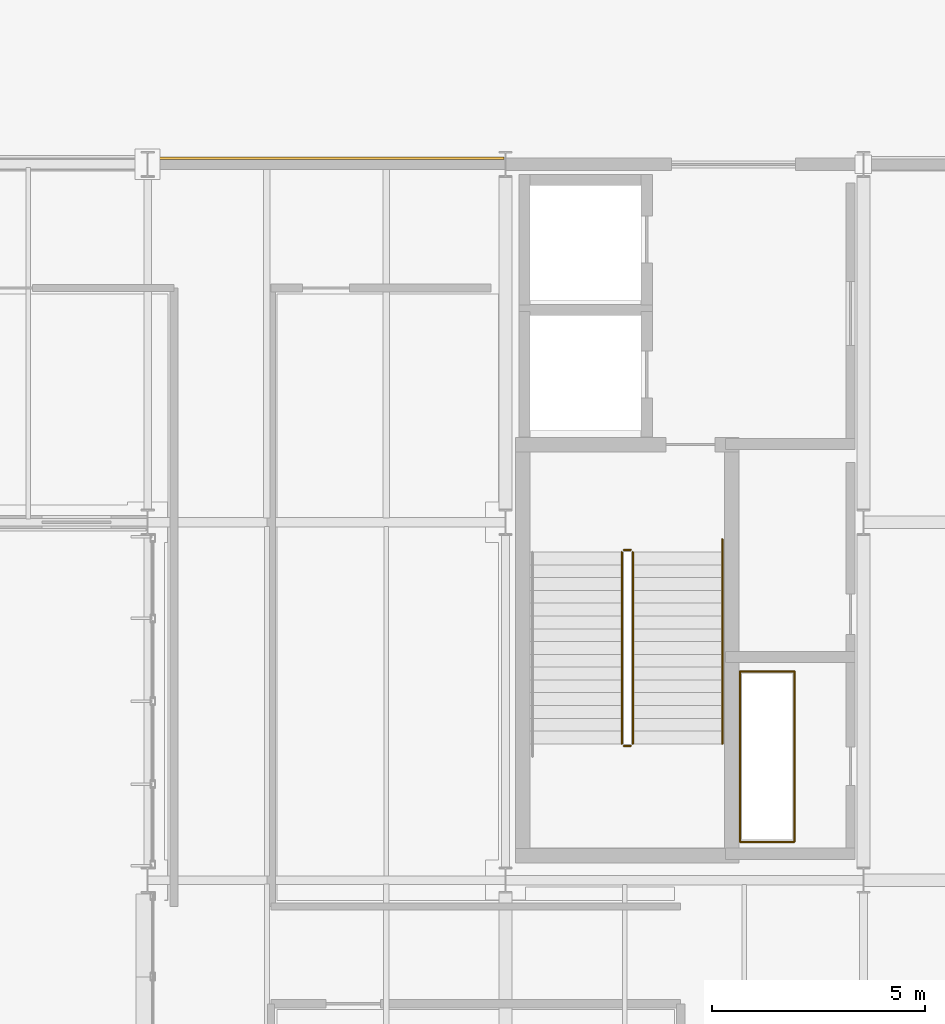
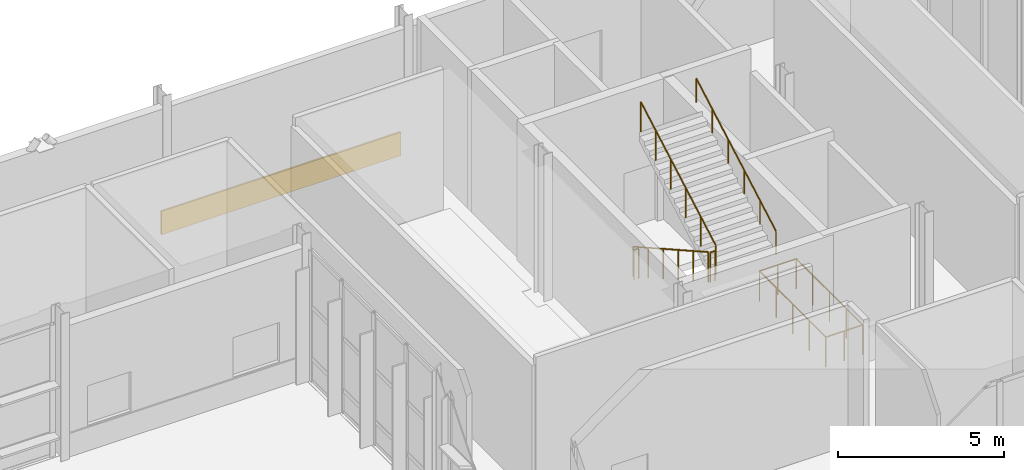
# One storey, part 121 of 124: 6 railings, 1 covering.
"""IFC4 building model written with IfcOpenShell, lengths in metres."""

from ifc_helpers import new_model, si_unit, direction, frame, origin, origin_2d, place, context, subcontext, project, spatial, rectangle, circle, extrude, material, layer, layer_set, type_object, element, save


model = new_model("IFC4")

# Units and contexts
model_context = context("Model", 3, precision=1e-05, world=origin(), true_north=direction((0.0, 1.0)))
body_context = subcontext(model_context, "Body", "Model", "MODEL_VIEW")
ifc_project = project(units=[si_unit("LENGTHUNIT", "METRE"), si_unit("AREAUNIT", "SQUARE_METRE"), si_unit("VOLUMEUNIT", "CUBIC_METRE"), si_unit("PLANEANGLEUNIT", "RADIAN"), si_unit("MASSUNIT", "GRAM", prefix="KILO")], contexts=[model_context])

# Site, building, storey
site_placement = place(None, origin())
site = spatial("IfcSite", under=ifc_project, at=site_placement, CompositionType="ELEMENT")
building_placement = place(site_placement, origin())
building = spatial("IfcBuilding", under=site, at=building_placement, Name="Mersafa Astral City Hall", CompositionType="ELEMENT")
storey_placement = place(building_placement, origin())
storey = spatial("IfcBuildingStorey", under=building, at=storey_placement, Name="L00", CompositionType="ELEMENT", Elevation=0.0)

# Covering
ifc_material_1 = material(Name="Cairo Mokattam buff limestone cladding", Category="masonry")
ifc_layer = layer(ifc_material_1, 0.06005859375, Name="Cairo Mokattam buff limestone cladding")
ifc_layer_set = layer_set([ifc_layer], Name="Cairo Mokattam buff limestone cladding — ENV-COV-LIMESTONE-60")
covering_type = type_object("IfcCoveringType", Name="ENV-COV-LIMESTONE-60", PredefinedType="CLADDING", material=ifc_layer_set)
covering_placement = place(storey_placement, frame((147.0, 126.139404296875, 0.0), z_axis=(0.0, 0.0, 1.0), x_axis=(-1.0, 0.0, 0.0)))
element("IfcCovering", 1, at=covering_placement, inside=storey, type_object=covering_type, Name="L00 Cairo buff limestone rainscreen cladding 34", PredefinedType="CLADDING", context=body_context, shape_type="SweptSolid", body=[
    extrude(rectangle(XDim=8.323974609375, YDim=0.06005859375, at=origin_2d()), origin(), (0.0, 0.0, 1.0), 0.860107421875),
])

# Railings
ifc_material_2 = material(Name="Painted architectural steel stair guard balustrade", Category="steel")
railing_type_1 = type_object("IfcRailingType", Name="GUARD-RAIL", PredefinedType="BALUSTRADE", material=ifc_material_2)
railing_1_placement = place(storey_placement, frame((153.929931640625, 116.89990234375, 0.168701171875)))
element("IfcRailing", 2, at=railing_1_placement, inside=storey, type_object=railing_type_1, Name="L00 ST1 stair guard 1", PredefinedType="BALUSTRADE", context=body_context, shape_type="SweptSolid", body=[
    extrude(circle(Radius=0.02392578125, at=origin_2d()), frame((0.0, 0.0, 1.09619140625), z_axis=(0.0, -0.871575537125, 0.490261239633), x_axis=(1.0, 0.0, 0.0)), (0.0, 0.0, 1.0), 5.1630859375),
    extrude(circle(Radius=0.02099609375, at=origin_2d()), origin(), (0.0, 0.0, 1.0), 1.072021484375),
    extrude(circle(Radius=0.02099609375, at=origin_2d()), frame((0.0, -0.89990234375, 0.50634765625)), (0.0, 0.0, 1.0), 1.072021484375),
    extrude(circle(Radius=0.02099609375, at=origin_2d()), frame((0.0, -1.800048828125, 1.012451171875)), (0.0, 0.0, 1.0), 1.072021484375),
    extrude(circle(Radius=0.02099609375, at=origin_2d()), frame((0.0, -2.699951171875, 1.518798828125)), (0.0, 0.0, 1.0), 1.072021484375),
    extrude(circle(Radius=0.02099609375, at=origin_2d()), frame((0.0, -3.60009765625, 2.02490234375)), (0.0, 0.0, 1.0), 1.072021484375),
    extrude(circle(Radius=0.02099609375, at=origin_2d()), frame((0.0, -4.5, 2.53125)), (0.0, 0.0, 1.0), 1.072021484375),
])
railing_2_placement = place(storey_placement, frame((153.97998046875, 112.35009765625, 2.699951171875)))
element("IfcRailing", 3, at=railing_2_placement, inside=storey, type_object=railing_type_1, Name="L00 ST1 stair guard 2", PredefinedType="BALUSTRADE", context=body_context, shape_type="SweptSolid", body=[
    extrude(circle(Radius=0.02392578125, at=origin_2d()), frame((0.0, 0.0, 1.09619140625), z_axis=(1.0, 0.0, 0.0), x_axis=(0.0, 1.0, 0.0)), (0.0, 0.0, 1.0), 0.159912109375),
    extrude(circle(Radius=0.02099609375, at=origin_2d()), origin(), (0.0, 0.0, 1.0), 1.072021484375),
    extrude(circle(Radius=0.02099609375, at=origin_2d()), frame((0.159912109375, 0.0, 0.0)), (0.0, 0.0, 1.0), 1.072021484375),
])
railing_3_placement = place(storey_placement, frame((154.18994140625, 112.39990234375, 2.86865234375)))
element("IfcRailing", 4, at=railing_3_placement, inside=storey, type_object=railing_type_1, Name="L00 ST1 stair guard 3", PredefinedType="BALUSTRADE", context=body_context, shape_type="SweptSolid", body=[
    extrude(circle(Radius=0.02392578125, at=origin_2d()), frame((0.0, 0.0, 1.09619140625), z_axis=(0.0, 0.871575537125, 0.490261239633), x_axis=(-1.0, 0.0, 0.0)), (0.0, 0.0, 1.0), 5.1630859375),
    extrude(circle(Radius=0.02099609375, at=origin_2d()), origin(), (0.0, 0.0, 1.0), 1.072021484375),
    extrude(circle(Radius=0.02099609375, at=origin_2d()), frame((0.0, 0.89990234375, 0.50634765625)), (0.0, 0.0, 1.0), 1.072021484375),
    extrude(circle(Radius=0.02099609375, at=origin_2d()), frame((0.0, 1.800048828125, 1.012451171875)), (0.0, 0.0, 1.0), 1.072021484375),
    extrude(circle(Radius=0.02099609375, at=origin_2d()), frame((0.0, 2.699951171875, 1.518798828125)), (0.0, 0.0, 1.0), 1.072021484375),
    extrude(circle(Radius=0.02099609375, at=origin_2d()), frame((0.0, 3.60009765625, 2.02490234375)), (0.0, 0.0, 1.0), 1.072021484375),
    extrude(circle(Radius=0.02099609375, at=origin_2d()), frame((0.0, 4.5, 2.53125)), (0.0, 0.0, 1.0), 1.072021484375),
])
railing_4_placement = place(storey_placement, frame((153.97998046875, 116.949951171875, 0.0)))
element("IfcRailing", 5, at=railing_4_placement, inside=storey, type_object=railing_type_1, Name="L00 ST1 stair guard 4", PredefinedType="BALUSTRADE", context=body_context, shape_type="SweptSolid", body=[
    extrude(circle(Radius=0.02392578125, at=origin_2d()), frame((0.0, 0.0, 1.09619140625), z_axis=(1.0, 0.0, 0.0), x_axis=(0.0, 1.0, 0.0)), (0.0, 0.0, 1.0), 0.159912109375),
    extrude(circle(Radius=0.02099609375, at=origin_2d()), origin(), (0.0, 0.0, 1.0), 1.072021484375),
    extrude(circle(Radius=0.02099609375, at=origin_2d()), frame((0.159912109375, 0.0, 0.0)), (0.0, 0.0, 1.0), 1.072021484375),
])
railing_5_placement = place(storey_placement, frame((156.699951171875, 110.10009765625, 0.0)))
element("IfcRailing", 6, at=railing_5_placement, inside=storey, type_object=railing_type_1, Name="L00 K1 MEP Riser Shaft Guard", PredefinedType="BALUSTRADE", context=body_context, shape_type="SweptSolid", body=[
    extrude(circle(Radius=0.02392578125, at=origin_2d()), frame((0.0, 0.0, 1.09619140625), z_axis=(1.0, 0.0, 0.0), x_axis=(0.0, 1.0, 0.0)), (0.0, 0.0, 1.0), 1.280029296875),
    extrude(circle(Radius=0.02392578125, at=origin_2d()), frame((1.280029296875, 0.0, 1.09619140625), z_axis=(0.0, 1.0, 0.0), x_axis=(-1.0, 0.0, 0.0)), (0.0, 0.0, 1.0), 4.0),
    extrude(circle(Radius=0.02392578125, at=origin_2d()), frame((1.280029296875, 4.0, 1.09619140625), z_axis=(-1.0, 0.0, 0.0), x_axis=(0.0, -1.0, 0.0)), (0.0, 0.0, 1.0), 1.280029296875),
    extrude(circle(Radius=0.02392578125, at=origin_2d()), frame((0.0, 4.0, 1.09619140625), z_axis=(0.0, -1.0, 0.0), x_axis=(1.0, 0.0, 0.0)), (0.0, 0.0, 1.0), 4.0),
    extrude(circle(Radius=0.02099609375, at=origin_2d()), origin(), (0.0, 0.0, 1.0), 1.072021484375),
    extrude(circle(Radius=0.02099609375, at=origin_2d()), frame((0.64013671875, 0.0, 0.0)), (0.0, 0.0, 1.0), 1.072021484375),
    extrude(circle(Radius=0.02099609375, at=origin_2d()), frame((1.280029296875, 0.0, 0.0)), (0.0, 0.0, 1.0), 1.072021484375),
    extrude(circle(Radius=0.02099609375, at=origin_2d()), frame((1.280029296875, 1.0, 0.0)), (0.0, 0.0, 1.0), 1.072021484375),
    extrude(circle(Radius=0.02099609375, at=origin_2d()), frame((1.280029296875, 2.0, 0.0)), (0.0, 0.0, 1.0), 1.072021484375),
    extrude(circle(Radius=0.02099609375, at=origin_2d()), frame((1.280029296875, 3.0, 0.0)), (0.0, 0.0, 1.0), 1.072021484375),
    extrude(circle(Radius=0.02099609375, at=origin_2d()), frame((1.280029296875, 4.0, 0.0)), (0.0, 0.0, 1.0), 1.072021484375),
    extrude(circle(Radius=0.02099609375, at=origin_2d()), frame((0.64013671875, 4.0, 0.0)), (0.0, 0.0, 1.0), 1.072021484375),
    extrude(circle(Radius=0.02099609375, at=origin_2d()), frame((0.0, 4.0, 0.0)), (0.0, 0.0, 1.0), 1.072021484375),
    extrude(circle(Radius=0.02099609375, at=origin_2d()), frame((0.0, 3.0, 0.0)), (0.0, 0.0, 1.0), 1.072021484375),
    extrude(circle(Radius=0.02099609375, at=origin_2d()), frame((0.0, 2.0, 0.0)), (0.0, 0.0, 1.0), 1.072021484375),
    extrude(circle(Radius=0.02099609375, at=origin_2d()), frame((0.0, 1.0, 0.0)), (0.0, 0.0, 1.0), 1.072021484375),
])
ifc_material_3 = material(Name="Brushed stainless steel tubular handrail", Category="steel")
railing_type_2 = type_object("IfcRailingType", Name="HANDRAIL", PredefinedType="HANDRAIL", material=ifc_material_3)
railing_6_placement = place(storey_placement, frame((156.2900390625, 112.39990234375, 2.86865234375)))
element("IfcRailing", 7, at=railing_6_placement, inside=storey, type_object=railing_type_2, Name="L00 ST1 stair handrail 2", PredefinedType="HANDRAIL", context=body_context, shape_type="SweptSolid", body=[
    extrude(circle(Radius=0.02392578125, at=origin_2d()), frame((0.0, 0.0, 0.8759765625), z_axis=(0.0, 0.871335168691, 0.49068831635), x_axis=(-1.0, 0.0, 0.0)), (0.0, 0.0, 1.0), 5.5087890625),
    extrude(circle(Radius=0.02099609375, at=origin_2d()), origin(), (0.0, 0.0, 1.0), 0.851806640625),
    extrude(circle(Radius=0.02099609375, at=origin_2d()), frame((0.0, 0.9599609375, 0.54052734375)), (0.0, 0.0, 1.0), 0.851806640625),
    extrude(circle(Radius=0.02099609375, at=origin_2d()), frame((0.0, 1.919921875, 1.081298828125)), (0.0, 0.0, 1.0), 0.851806640625),
    extrude(circle(Radius=0.02099609375, at=origin_2d()), frame((0.0, 2.880126953125, 1.621826171875)), (0.0, 0.0, 1.0), 0.851806640625),
    extrude(circle(Radius=0.02099609375, at=origin_2d()), frame((0.0, 3.840087890625, 2.16259765625)), (0.0, 0.0, 1.0), 0.851806640625),
    extrude(circle(Radius=0.02099609375, at=origin_2d()), frame((0.0, 4.800048828125, 2.703125)), (0.0, 0.0, 1.0), 0.851806640625),
])

save(model, "model.ifc")
